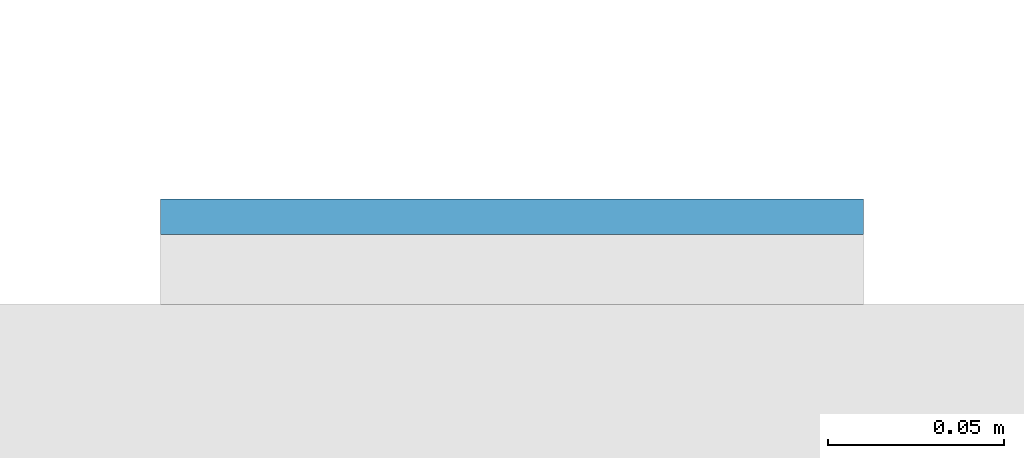
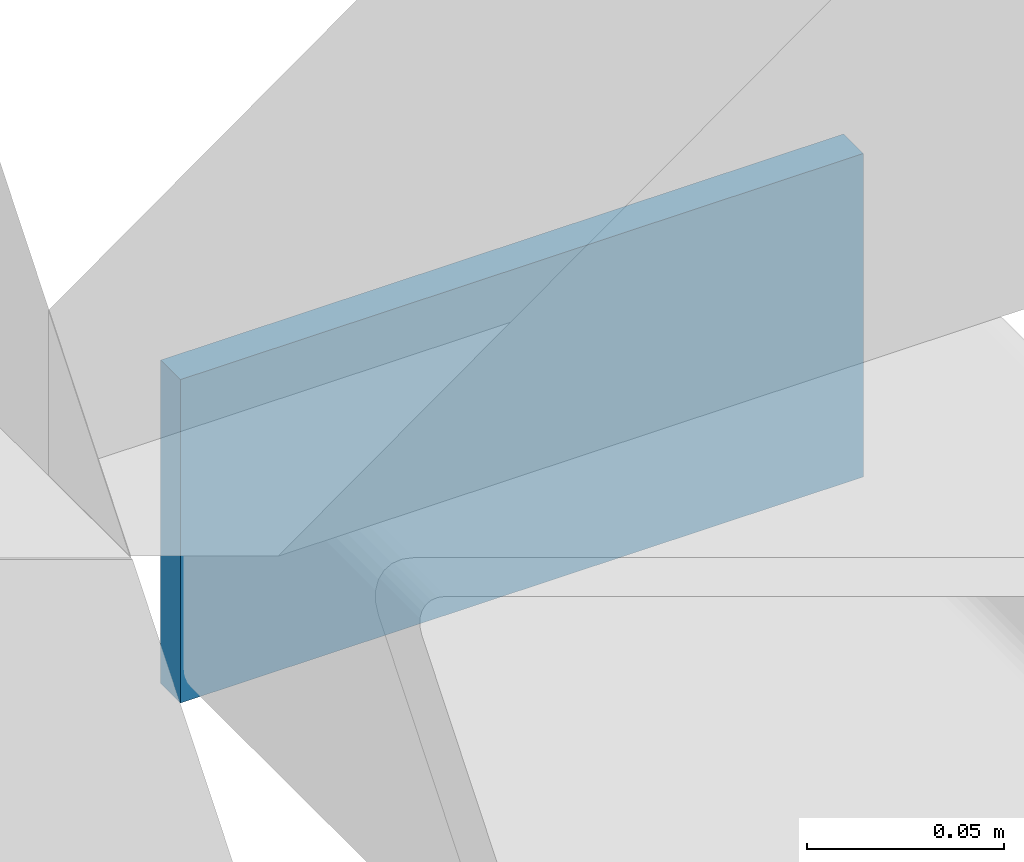
# One storey, part 11 of 20: 1 plate.
"""IFC4 building model written with IfcOpenShell, lengths in metres."""

from ifc_helpers import new_model, si_unit, direction, frame, origin, origin_2d, place, context, subcontext, project, spatial, rectangle, extrude, material, layer, layer_set, type_object, element, save


model = new_model("IFC4")

# Units and contexts
model_context = context("Model", 3, precision=1e-05, world=origin(), true_north=direction((0.0, 1.0)))
body_context = subcontext(model_context, "Body", "Model", "MODEL_VIEW")
ifc_project = project(units=[si_unit("LENGTHUNIT", "METRE"), si_unit("AREAUNIT", "SQUARE_METRE"), si_unit("VOLUMEUNIT", "CUBIC_METRE"), si_unit("PLANEANGLEUNIT", "RADIAN"), si_unit("MASSUNIT", "GRAM", prefix="KILO")], contexts=[model_context])

# Site, building, storey
site_placement = place(None, origin())
site = spatial("IfcSite", under=ifc_project, at=site_placement, CompositionType="ELEMENT")
building_placement = place(site_placement, origin())
building = spatial("IfcBuilding", under=site, at=building_placement, Name="Cleftline Residences", CompositionType="ELEMENT")
storey_placement = place(building_placement, frame((0.0, 0.0, 185.800048828125)))
storey = spatial("IfcBuildingStorey", under=building, at=storey_placement, Name="L48", CompositionType="ELEMENT", Elevation=185.800048828125)

# Plate
ifc_material = material(Name="Steel S355, hot-dip galvanised", Category="steel")
ifc_layer = layer(ifc_material, 0.010009765625)
ifc_layer_set = layer_set([ifc_layer], Name="BAGUETTE CARRIER END PLATE 200X100X10")
plate_type = type_object("IfcPlateType", Name="BAGUETTE CARRIER END PLATE 200X100X10", PredefinedType="USERDEFINED", material=ifc_layer_set)
plate_placement = place(storey_placement, frame((66.85009765625, 44.304931640625, -0.10009765625), z_axis=(0.0, 0.0, 1.0), x_axis=(1.0, 0.0, 0.0)))
element("IfcPlate", 1, at=plate_placement, inside=storey, type_object=plate_type, Name="Baguette carrier end plate", ObjectType="BAGUETTE CARRIER END PLATE", PredefinedType="USERDEFINED", context=body_context, shape_type="SweptSolid", body=[
    extrude(rectangle(XDim=0.199951171875, YDim=0.010009765625, at=origin_2d()), origin(), (0.0, 0.0, 1.0), 0.10009765625),
])

save(model, "model.ifc")
